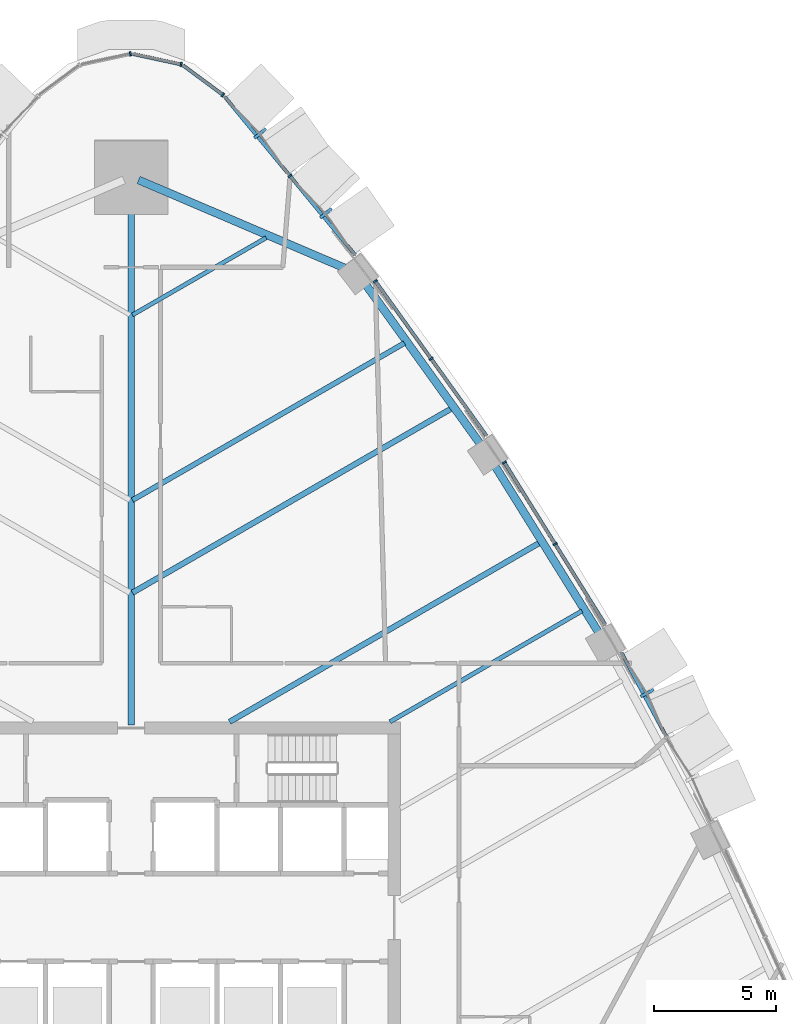
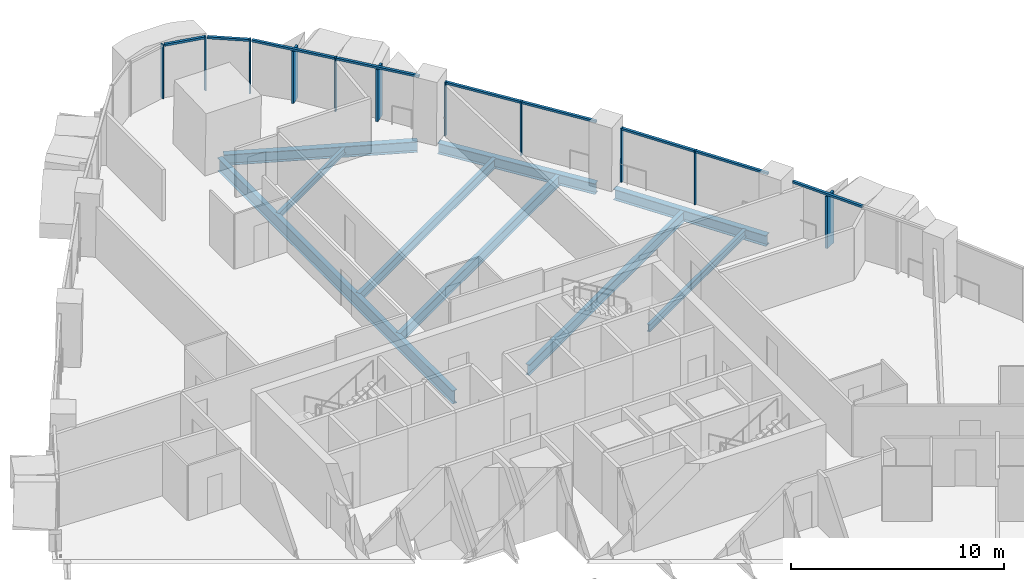
# One storey, part 7 of 18: 20 members, 9 beams, 7 elements without a shape of their own.
"""IFC4 building model written with IfcOpenShell, lengths in metres."""

from ifc_helpers import new_model, si_unit, direction, frame, origin, origin_2d, place, context, subcontext, project, spatial, rectangle, i_section, extrude, material, layer, layer_set, material_profile, profile_set, type_object, element, aggregate, save


model = new_model("IFC4")

# Units and contexts
model_context = context("Model", 3, precision=1e-05, world=origin(), true_north=direction((0.0, 1.0)))
body_context = subcontext(model_context, "Body", "Model", "MODEL_VIEW")
ifc_project = project(units=[si_unit("LENGTHUNIT", "METRE"), si_unit("AREAUNIT", "SQUARE_METRE"), si_unit("VOLUMEUNIT", "CUBIC_METRE"), si_unit("PLANEANGLEUNIT", "RADIAN"), si_unit("MASSUNIT", "GRAM", prefix="KILO")], contexts=[model_context])

# Site, building, storey
site_placement = place(None, origin())
site = spatial("IfcSite", under=ifc_project, at=site_placement, CompositionType="ELEMENT")
building_placement = place(site_placement, origin())
building = spatial("IfcBuilding", under=site, at=building_placement, Name="Sierra Prisma Convention Tower", CompositionType="ELEMENT")
storey_placement = place(building_placement, frame((0.0, 0.0, 81.300048828125)))
storey = spatial("IfcBuildingStorey", under=building, at=storey_placement, Name="L16", CompositionType="ELEMENT", Elevation=81.300048828125)

# Curtain wall, member
ifc_material_1 = material(Name="Aluminium and glass curtain wall", Category="aluminium")
ifc_layer_1 = layer(ifc_material_1, 0.179931640625)
ifc_layer_set_1 = layer_set([ifc_layer_1], Name="CW-2 Faceted crystal curtain wall")
curtain_wall_type_1 = type_object("IfcCurtainWallType", Name="CW-2 Faceted crystal curtain wall", PredefinedType="NOTDEFINED", material=ifc_layer_set_1)
curtain_wall_1_placement = place(storey_placement, origin())
curtain_wall_1 = element("IfcCurtainWall", 1, at=curtain_wall_1_placement, inside=storey, type_object=curtain_wall_type_1, Name="CW-2 NE3 L16", PredefinedType="NOTDEFINED")
ifc_material_2 = material(Name="Aluminium 6063-T6 bronze anodised", Category="aluminium")
ifc_material_profile_1 = material_profile(ifc_material_2, rectangle(XDim=0.1201171875, YDim=0.60009765625, at=origin_2d()), Name="ALU RIDGE BLADE 120x600")
ifc_profile_set_1 = profile_set([ifc_material_profile_1], Name="Aluminium 6063-T6 bronze anodised")
member_type_1 = type_object("IfcMemberType", Name="CW hip bronze", PredefinedType="MULLION", material=ifc_profile_set_1)
member_1_placement = place(storey_placement, frame((21.09619140625, 9.1767578125, 0.0), z_axis=(0.0, 0.0, 1.0), x_axis=(-0.471018206015, 0.882123488862, 0.0)))
member_1 = element("IfcMember", 2, at=member_1_placement, type_object=member_type_1, Name="CW-2 ridge NE3.2", PredefinedType="MULLION", context=body_context, shape_type="SweptSolid", body=[
    extrude(rectangle(XDim=0.1201171875, YDim=0.60009765625, at=origin_2d()), origin(), (0.0, 0.0, 1.0), 2.97998046875),
])

# Curtain wall, members
curtain_wall_2_placement = place(storey_placement, origin())
curtain_wall_2 = element("IfcCurtainWall", 3, at=curtain_wall_2_placement, inside=storey, type_object=curtain_wall_type_1, Name="CW-2 NE6 L16", PredefinedType="NOTDEFINED")
member_2_placement = place(storey_placement, frame((7.96240234375, 28.790771484375, 0.0), z_axis=(0.0, 0.0, 1.0), x_axis=(-0.636050557312, 0.771647386144, 0.0)))
member_2 = element("IfcMember", 4, at=member_2_placement, type_object=member_type_1, Name="CW-2 ridge NE6.1", PredefinedType="MULLION", context=body_context, shape_type="SweptSolid", body=[
    extrude(rectangle(XDim=0.1201171875, YDim=0.60009765625, at=origin_2d()), origin(), (0.0, 0.0, 1.0), 2.97998046875),
])
member_3_placement = place(storey_placement, frame((5.271484375, 32.055419921875, 0.0), z_axis=(0.0, 0.0, 1.0), x_axis=(-0.636050557312, 0.771647386144, 0.0)))
member_3 = element("IfcMember", 5, at=member_3_placement, type_object=member_type_1, Name="CW-2 ridge NE6.2", PredefinedType="MULLION", context=body_context, shape_type="SweptSolid", body=[
    extrude(rectangle(XDim=0.1201171875, YDim=0.60009765625, at=origin_2d()), origin(), (0.0, 0.0, 1.0), 2.97998046875),
])

ifc_material_3 = material(Name="Aluminium and glass curtain wall", Category="aluminium")
ifc_layer_2 = layer(ifc_material_3, 0.179931640625)
ifc_layer_set_2 = layer_set([ifc_layer_2], Name="CW-1 Plain shaft curtain wall")
curtain_wall_type_2 = type_object("IfcCurtainWallType", Name="CW-1 Plain shaft curtain wall", PredefinedType="NOTDEFINED", material=ifc_layer_set_2)
curtain_wall_3_placement = place(storey_placement, origin())
curtain_wall_3 = element("IfcCurtainWall", 6, at=curtain_wall_3_placement, inside=storey, type_object=curtain_wall_type_2, Name="CW-1 NE4 L16", PredefinedType="NOTDEFINED")
ifc_material_4 = material(Name="Aluminium 6063-T6 bronze anodised", Category="aluminium")
ifc_material_profile_2 = material_profile(ifc_material_4, rectangle(XDim=0.179931640625, YDim=0.070068359375, at=origin_2d()), Name="ALU MULLION 70x180")
ifc_profile_set_2 = profile_set([ifc_material_profile_2], Name="Aluminium 6063-T6 bronze anodised")
member_type_2 = type_object("IfcMemberType", Name="CW mullion bronze", PredefinedType="MULLION", material=ifc_profile_set_2)
member_4_placement = place(storey_placement, frame((17.329833984375, 15.267333984375, 0.0), z_axis=(0.0, 0.0, 1.0), x_axis=(-0.848975476485, -0.528432247622, 0.0)))
member_4 = element("IfcMember", 7, at=member_4_placement, type_object=member_type_2, Name="CW-1 mullion NE4.2", PredefinedType="MULLION", context=body_context, shape_type="SweptSolid", body=[
    extrude(rectangle(XDim=0.179931640625, YDim=0.070068359375, at=origin_2d()), origin(), (0.0, 0.0, 1.0), 3.099853515625),
])
member_5_placement = place(storey_placement, frame((15.256103515625, 18.598876953125, 0.0), z_axis=(0.0, 0.0, 1.0), x_axis=(-0.848975476485, -0.528432247622, 0.0)))
member_5 = element("IfcMember", 8, at=member_5_placement, type_object=member_type_2, Name="CW-1 mullion NE4.3", PredefinedType="MULLION", context=body_context, shape_type="SweptSolid", body=[
    extrude(rectangle(XDim=0.179931640625, YDim=0.070068359375, at=origin_2d()), origin(), (0.0, 0.0, 1.0), 3.099853515625),
])

curtain_wall_4_placement = place(storey_placement, origin())
curtain_wall_4 = element("IfcCurtainWall", 9, at=curtain_wall_4_placement, inside=storey, type_object=curtain_wall_type_2, Name="CW-1 NE5 L16", PredefinedType="NOTDEFINED")
member_6_placement = place(storey_placement, frame((12.262451171875, 22.8388671875, 0.0), z_axis=(0.0, 0.0, 1.0), x_axis=(-0.812096078592, -0.583523743421, 0.0)))
member_6 = element("IfcMember", 10, at=member_6_placement, type_object=member_type_2, Name="CW-1 mullion NE5.2", PredefinedType="MULLION", context=body_context, shape_type="SweptSolid", body=[
    extrude(rectangle(XDim=0.179931640625, YDim=0.070068359375, at=origin_2d()), origin(), (0.0, 0.0, 1.0), 3.099853515625),
])
member_7_placement = place(storey_placement, frame((9.9814453125, 26.01318359375, 0.0), z_axis=(0.0, 0.0, 1.0), x_axis=(-0.812096078592, -0.583523743421, 0.0)))
member_7 = element("IfcMember", 11, at=member_7_placement, type_object=member_type_2, Name="CW-1 mullion NE5.3", PredefinedType="MULLION", context=body_context, shape_type="SweptSolid", body=[
    extrude(rectangle(XDim=0.179931640625, YDim=0.070068359375, at=origin_2d()), origin(), (0.0, 0.0, 1.0), 3.099853515625),
])

# Member
member_8_placement = place(storey_placement, frame((6.49072265625, 30.31884765625, 0.0), z_axis=(0.0, 0.0, 1.0), x_axis=(-0.771647386144, -0.636050557312, 0.0)))
member_8 = element("IfcMember", 12, at=member_8_placement, type_object=member_type_2, Name="CW-1 mullion NE6.2", PredefinedType="MULLION", context=body_context, shape_type="SweptSolid", body=[
    extrude(rectangle(XDim=0.179931640625, YDim=0.070068359375, at=origin_2d()), origin(), (0.0, 0.0, 1.0), 3.099853515625),
])

# Curtain wall, member
curtain_wall_5_placement = place(storey_placement, origin())
curtain_wall_5 = element("IfcCurtainWall", 13, at=curtain_wall_5_placement, inside=storey, type_object=curtain_wall_type_2, Name="CW-1 N1 L16", PredefinedType="NOTDEFINED")
member_9_placement = place(storey_placement, frame((3.749267578125, 33.63134765625, 0.0), z_axis=(0.0, 0.0, 1.0), x_axis=(-0.5941470156, -0.804356465663, 0.0)))
member_9 = element("IfcMember", 14, at=member_9_placement, type_object=member_type_2, Name="CW-1 mullion N1.1", PredefinedType="MULLION", context=body_context, shape_type="SweptSolid", body=[
    extrude(rectangle(XDim=0.179931640625, YDim=0.070068359375, at=origin_2d()), origin(), (0.0, 0.0, 1.0), 3.099853515625),
])

curtain_wall_6_placement = place(storey_placement, origin())
curtain_wall_6 = element("IfcCurtainWall", 15, at=curtain_wall_6_placement, inside=storey, type_object=curtain_wall_type_2, Name="CW-1 N2 L16", PredefinedType="NOTDEFINED")
member_10_placement = place(storey_placement, frame((2.0380859375, 34.87744140625, 0.0), z_axis=(0.0, 0.0, 1.0), x_axis=(-0.210482273826, -0.9775976741, 0.0)))
member_10 = element("IfcMember", 16, at=member_10_placement, type_object=member_type_2, Name="CW-1 mullion N2.1", PredefinedType="MULLION", context=body_context, shape_type="SweptSolid", body=[
    extrude(rectangle(XDim=0.179931640625, YDim=0.070068359375, at=origin_2d()), origin(), (0.0, 0.0, 1.0), 3.099853515625),
])

curtain_wall_7_placement = place(storey_placement, origin())
curtain_wall_7 = element("IfcCurtainWall", 17, at=curtain_wall_7_placement, inside=storey, type_object=curtain_wall_type_2, Name="CW-1 N3 L16", PredefinedType="NOTDEFINED")
member_11_placement = place(storey_placement, frame((-0.0341796875, 35.308837890625, 0.0), z_axis=(0.0, 0.0, 1.0), x_axis=(0.210482273826, -0.9775976741, 0.0)))
member_11 = element("IfcMember", 18, at=member_11_placement, type_object=member_type_2, Name="CW-1 mullion N3.1", PredefinedType="MULLION", context=body_context, shape_type="SweptSolid", body=[
    extrude(rectangle(XDim=0.179931640625, YDim=0.070068359375, at=origin_2d()), origin(), (0.0, 0.0, 1.0), 3.099853515625),
])
aggregate(curtain_wall_7, [member_11])

# Member
ifc_material_5 = material(Name="Aluminium 6063-T6 bronze anodised", Category="aluminium")
ifc_material_profile_3 = material_profile(ifc_material_5, rectangle(XDim=0.139892578125, YDim=0.1201171875, at=origin_2d()), Name="ALU TRANSOM 120x140")
ifc_profile_set_3 = profile_set([ifc_material_profile_3], Name="Aluminium 6063-T6 bronze anodised")
member_type_3 = type_object("IfcMemberType", Name="CW transom bronze", PredefinedType="USERDEFINED", material=ifc_profile_set_3)
member_12_placement = place(storey_placement, frame((21.8701171875, 7.405517578125, 3.0400390625), z_axis=(-0.471022157963, 0.882121378671, 0.0), x_axis=(-0.882121378671, -0.471022157963, 0.0)))
member_12 = element("IfcMember", 19, at=member_12_placement, type_object=member_type_3, Name="CW-1 transom NE3.2", ObjectType="TRANSOM", PredefinedType="USERDEFINED", context=body_context, shape_type="SweptSolid", body=[
    extrude(rectangle(XDim=0.139892578125, YDim=0.1201171875, at=origin_2d()), origin(), (0.0, 0.0, 1.0), 3.854248046875),
])

aggregate(curtain_wall_1, [member_12, member_1])

member_13_placement = place(storey_placement, frame((19.38525390625, 11.96533203125, 3.0400390625), z_axis=(-0.528455101053, 0.848961251278, 0.0), x_axis=(-0.848961251278, -0.528455101053, 0.0)))
member_13 = element("IfcMember", 20, at=member_13_placement, type_object=member_type_3, Name="CW-1 transom NE4.1", ObjectType="TRANSOM", PredefinedType="USERDEFINED", context=body_context, shape_type="SweptSolid", body=[
    extrude(rectangle(XDim=0.139892578125, YDim=0.1201171875, at=origin_2d()), origin(), (0.0, 0.0, 1.0), 3.8544921875),
])

member_14_placement = place(storey_placement, frame((17.311279296875, 15.296875, 3.0400390625), z_axis=(-0.528381031124, 0.849007353295, 0.0), x_axis=(-0.849007353295, -0.528381031124, 0.0)))
member_14 = element("IfcMember", 21, at=member_14_placement, type_object=member_type_3, Name="CW-1 transom NE4.2", ObjectType="TRANSOM", PredefinedType="USERDEFINED", context=body_context, shape_type="SweptSolid", body=[
    extrude(rectangle(XDim=0.139892578125, YDim=0.1201171875, at=origin_2d()), origin(), (0.0, 0.0, 1.0), 3.8544921875),
])

aggregate(curtain_wall_3, [member_4, member_5, member_13, member_14])

member_15_placement = place(storey_placement, frame((14.52294921875, 19.69287109375, 3.0400390625), z_axis=(-0.583563972243, 0.812067171052, 0.0), x_axis=(-0.812067171052, -0.583563972243, 0.0)))
member_15 = element("IfcMember", 22, at=member_15_placement, type_object=member_type_3, Name="CW-1 transom NE5.1", ObjectType="TRANSOM", PredefinedType="USERDEFINED", context=body_context, shape_type="SweptSolid", body=[
    extrude(rectangle(XDim=0.139892578125, YDim=0.1201171875, at=origin_2d()), origin(), (0.0, 0.0, 1.0), 3.8388671875),
])

member_16_placement = place(storey_placement, frame((12.241943359375, 22.8671875, 3.0400390625), z_axis=(-0.583491893831, 0.812118962858, 0.0), x_axis=(-0.812118962858, -0.583491893831, 0.0)))
member_16 = element("IfcMember", 23, at=member_16_placement, type_object=member_type_3, Name="CW-1 transom NE5.2", ObjectType="TRANSOM", PredefinedType="USERDEFINED", context=body_context, shape_type="SweptSolid", body=[
    extrude(rectangle(XDim=0.139892578125, YDim=0.1201171875, at=origin_2d()), origin(), (0.0, 0.0, 1.0), 3.8388671875),
])

aggregate(curtain_wall_4, [member_6, member_7, member_15, member_16])

member_17_placement = place(storey_placement, frame((9.159423828125, 27.081298828125, 3.0400390625), z_axis=(-0.636048600726, 0.771648998907, 0.0), x_axis=(-0.771648998907, -0.636048600726, 0.0)))
member_17 = element("IfcMember", 24, at=member_17_placement, type_object=member_type_3, Name="CW-1 transom NE6.1", ObjectType="TRANSOM", PredefinedType="USERDEFINED", context=body_context, shape_type="SweptSolid", body=[
    extrude(rectangle(XDim=0.139892578125, YDim=0.1201171875, at=origin_2d()), origin(), (0.0, 0.0, 1.0), 4.160888671875),
])

member_18_placement = place(storey_placement, frame((6.468505859375, 30.345947265625, 3.0400390625), z_axis=(-0.63607740017, 0.771625259432, 0.0), x_axis=(-0.771625259432, -0.63607740017, 0.0)))
member_18 = element("IfcMember", 25, at=member_18_placement, type_object=member_type_3, Name="CW-1 transom NE6.2", ObjectType="TRANSOM", PredefinedType="USERDEFINED", context=body_context, shape_type="SweptSolid", body=[
    extrude(rectangle(XDim=0.139892578125, YDim=0.1201171875, at=origin_2d()), origin(), (0.0, 0.0, 1.0), 4.16064453125),
])

aggregate(curtain_wall_2, [member_8, member_17, member_2, member_18, member_3])

member_19_placement = place(storey_placement, frame((3.72119140625, 33.652099609375, 3.0400390625), z_axis=(-0.804373428769, 0.594124050254, 0.0), x_axis=(-0.594124050254, -0.804373428769, 0.0)))
member_19 = element("IfcMember", 26, at=member_19_placement, type_object=member_type_3, Name="CW-1 transom N1.1", ObjectType="TRANSOM", PredefinedType="USERDEFINED", context=body_context, shape_type="SweptSolid", body=[
    extrude(rectangle(XDim=0.139892578125, YDim=0.1201171875, at=origin_2d()), origin(), (0.0, 0.0, 1.0), 1.979736328125),
])

aggregate(curtain_wall_5, [member_9, member_19])

member_20_placement = place(storey_placement, frame((2.00390625, 34.884765625, 3.0400390625), z_axis=(-0.977596226785, 0.210488995853, 0.0), x_axis=(-0.210488995853, -0.977596226785, 0.0)))
member_20 = element("IfcMember", 27, at=member_20_placement, type_object=member_type_3, Name="CW-1 transom N2.1", ObjectType="TRANSOM", PredefinedType="USERDEFINED", context=body_context, shape_type="SweptSolid", body=[
    extrude(rectangle(XDim=0.139892578125, YDim=0.1201171875, at=origin_2d()), origin(), (0.0, 0.0, 1.0), 1.97998046875),
])

aggregate(curtain_wall_6, [member_10, member_20])

# Beams
ifc_material_6 = material(Name="Steel ASTM A992 Gr 50", Category="steel")
ifc_material_profile_4 = material_profile(ifc_material_6, i_section(OverallWidth=0.172119140625, OverallDepth=0.35791015625, WebThickness=0.0078125, FlangeThickness=0.01318359375, at=origin_2d()), Name="W360x57")
ifc_profile_set_4 = profile_set([ifc_material_profile_4], Name="Steel ASTM A992 Gr 50")
beam_type_1 = type_object("IfcBeamType", Name="Floor joist W360x57", PredefinedType="JOIST", material=ifc_profile_set_4)
beam_1_placement = place(storey_placement, frame((5.518798828125, 27.789306640625, -0.3291015625), z_axis=(-0.866020677355, -0.500008186327, 0.0), x_axis=(0.500008186327, -0.866020677355, 0.0)))
element("IfcBeam", 28, at=beam_1_placement, inside=storey, type_object=beam_type_1, Name="Floor joist L16 NE15", PredefinedType="JOIST", context=body_context, shape_type="SweptSolid", body=[
    extrude(i_section(OverallWidth=0.172119140625, OverallDepth=0.35791015625, WebThickness=0.0078125, FlangeThickness=0.01318359375, at=origin_2d()), origin(), (0.0, 0.0, 1.0), 6.3115234375),
])
ifc_material_7 = material(Name="Steel ASTM A992 Gr 50", Category="steel")
ifc_material_profile_5 = material_profile(ifc_material_7, i_section(OverallWidth=0.177978515625, OverallDepth=0.406982421875, WebThickness=0.0078125, FlangeThickness=0.0126953125, at=origin_2d()), Name="W410x60")
ifc_profile_set_5 = profile_set([ifc_material_profile_5], Name="Steel ASTM A992 Gr 50")
beam_type_2 = type_object("IfcBeamType", Name="Floor joist W410x60", PredefinedType="JOIST", material=ifc_profile_set_5)
beam_2_placement = place(storey_placement, frame((18.4287109375, 12.532470703125, -0.353515625), z_axis=(-0.866021880676, -0.500006102154, 0.0), x_axis=(0.500006102154, -0.866021880676, 0.0)))
element("IfcBeam", 29, at=beam_2_placement, inside=storey, type_object=beam_type_2, Name="Floor joist L16 NE09", PredefinedType="JOIST", context=body_context, shape_type="SweptSolid", body=[
    extrude(i_section(OverallWidth=0.177978515625, OverallDepth=0.406982421875, WebThickness=0.0078125, FlangeThickness=0.0126953125, at=origin_2d()), origin(), (0.0, 0.0, 1.0), 9.06494140625),
])
ifc_material_8 = material(Name="Steel ASTM A992 Gr 50", Category="steel")
ifc_material_profile_6 = material_profile(ifc_material_8, i_section(OverallWidth=0.208984375, OverallDepth=0.532958984375, WebThickness=0.01025390625, FlangeThickness=0.015625, at=origin_2d()), Name="W530x92")
ifc_profile_set_6 = profile_set([ifc_material_profile_6], Name="Steel ASTM A992 Gr 50")
beam_type_3 = type_object("IfcBeamType", Name="Floor joist W530x92", PredefinedType="JOIST", material=ifc_profile_set_6)
beam_3_placement = place(storey_placement, frame((11.16943359375, 23.4814453125, -0.41650390625), z_axis=(-0.86602943772, -0.499993012953, 0.0), x_axis=(0.499993012953, -0.86602943772, 0.0)))
element("IfcBeam", 30, at=beam_3_placement, inside=storey, type_object=beam_type_3, Name="Floor joist L16 NE13", PredefinedType="JOIST", context=body_context, shape_type="SweptSolid", body=[
    extrude(i_section(OverallWidth=0.208984375, OverallDepth=0.532958984375, WebThickness=0.01025390625, FlangeThickness=0.015625, at=origin_2d()), origin(), (0.0, 0.0, 1.0), 12.836181640625),
])
ifc_material_9 = material(Name="Steel ASTM A992 Gr 50", Category="steel")
ifc_material_profile_7 = material_profile(ifc_material_9, i_section(OverallWidth=0.22802734375, OverallDepth=0.60302734375, WebThickness=0.010498046875, FlangeThickness=0.014892578125, at=origin_2d()), Name="W610x101")
ifc_profile_set_7 = profile_set([ifc_material_profile_7], Name="Steel ASTM A992 Gr 50")
beam_type_4 = type_object("IfcBeamType", Name="Floor joist W610x101", PredefinedType="JOIST", material=ifc_profile_set_7)
beam_4_placement = place(storey_placement, frame((16.695556640625, 15.31689453125, -0.45166015625), z_axis=(-0.866023056814, -0.500004065051, 0.0), x_axis=(0.500004065051, -0.866023056814, 0.0)))
element("IfcBeam", 31, at=beam_4_placement, inside=storey, type_object=beam_type_4, Name="Floor joist L16 NE10", PredefinedType="JOIST", context=body_context, shape_type="SweptSolid", body=[
    extrude(i_section(OverallWidth=0.22802734375, OverallDepth=0.60302734375, WebThickness=0.010498046875, FlangeThickness=0.014892578125, at=origin_2d()), origin(), (0.0, 0.0, 1.0), 14.6337890625),
])
beam_5_placement = place(storey_placement, frame((13.091796875, 20.80615234375, -0.45166015625), z_axis=(-0.866029236326, -0.499993361785, 0.0), x_axis=(0.499993361785, -0.866029236326, 0.0)))
element("IfcBeam", 32, at=beam_5_placement, inside=storey, type_object=beam_type_4, Name="Floor joist L16 NE12", PredefinedType="JOIST", context=body_context, shape_type="SweptSolid", body=[
    extrude(i_section(OverallWidth=0.22802734375, OverallDepth=0.60302734375, WebThickness=0.010498046875, FlangeThickness=0.014892578125, at=origin_2d()), origin(), (0.0, 0.0, 1.0), 15.055908203125),
])
ifc_material_10 = material(Name="Steel ASTM A992 Gr 50", Category="steel")
ifc_material_profile_8 = material_profile(ifc_material_10, i_section(OverallWidth=0.264892578125, OverallDepth=0.7529296875, WebThickness=0.01318359375, FlangeThickness=0.01708984375, at=origin_2d()), Name="W760x147")
ifc_profile_set_8 = profile_set([ifc_material_profile_8], Name="Steel ASTM A992 Gr 50")
beam_type_5 = type_object("IfcBeamType", Name="Radial girder W760x147", PredefinedType="BEAM", material=ifc_profile_set_8)
beam_6_placement = place(storey_placement, frame((0.0, 29.98046875, -0.526611328125), z_axis=(0.0, -1.0, 0.0), x_axis=(1.0, 0.0, 0.0)))
element("IfcBeam", 33, at=beam_6_placement, inside=storey, type_object=beam_type_5, Name="Radial girder L16 N", PredefinedType="BEAM", context=body_context, shape_type="SweptSolid", body=[
    extrude(i_section(OverallWidth=0.264892578125, OverallDepth=0.7529296875, WebThickness=0.01318359375, FlangeThickness=0.01708984375, at=origin_2d()), origin(), (0.0, 0.0, 1.0), 22.1005859375),
])
ifc_material_11 = material(Name="Steel ASTM A992 Gr 50", Category="steel")
ifc_material_profile_9 = material_profile(ifc_material_11, i_section(OverallWidth=0.324951171875, OverallDepth=0.615966796875, WebThickness=0.013916015625, FlangeThickness=0.021484375, at=origin_2d()), Name="W610x174")
ifc_profile_set_9 = profile_set([ifc_material_profile_9], Name="Steel ASTM A992 Gr 50")
beam_type_6 = type_object("IfcBeamType", Name="Spandrel beam W610x174", PredefinedType="BEAM", material=ifc_profile_set_9)
beam_7_placement = place(storey_placement, frame((19.138916015625, 11.604248046875, -0.4580078125), z_axis=(-0.528445951179, 0.848966946755, 0.0), x_axis=(-0.848966946755, -0.528445951179, 0.0)))
element("IfcBeam", 34, at=beam_7_placement, inside=storey, type_object=beam_type_6, Name="Spandrel L16-10", PredefinedType="BEAM", context=body_context, shape_type="SweptSolid", body=[
    extrude(i_section(OverallWidth=0.324951171875, OverallDepth=0.615966796875, WebThickness=0.013916015625, FlangeThickness=0.021484375, at=origin_2d()), origin(), (0.0, 0.0, 1.0), 8.14404296875),
])
beam_8_placement = place(storey_placement, frame((14.30126953125, 19.316162109375, -0.4580078125), z_axis=(-0.58352424327, 0.81209571943, 0.0), x_axis=(-0.81209571943, -0.58352424327, 0.0)))
element("IfcBeam", 35, at=beam_8_placement, inside=storey, type_object=beam_type_6, Name="Spandrel L16-11", PredefinedType="BEAM", context=body_context, shape_type="SweptSolid", body=[
    extrude(i_section(OverallWidth=0.324951171875, OverallDepth=0.615966796875, WebThickness=0.013916015625, FlangeThickness=0.021484375, at=origin_2d()), origin(), (0.0, 0.0, 1.0), 8.144287109375),
])
beam_9_placement = place(storey_placement, frame((8.74658203125, 26.543212890625, -0.4580078125), z_axis=(-0.919570680471, 0.392924628419, 0.0), x_axis=(-0.392924628419, -0.919570680471, 0.0)))
element("IfcBeam", 36, at=beam_9_placement, inside=storey, type_object=beam_type_6, Name="Spandrel L16-12", PredefinedType="BEAM", context=body_context, shape_type="SweptSolid", body=[
    extrude(i_section(OverallWidth=0.324951171875, OverallDepth=0.615966796875, WebThickness=0.013916015625, FlangeThickness=0.021484375, at=origin_2d()), origin(), (0.0, 0.0, 1.0), 9.185302734375),
])

save(model, "model.ifc")
